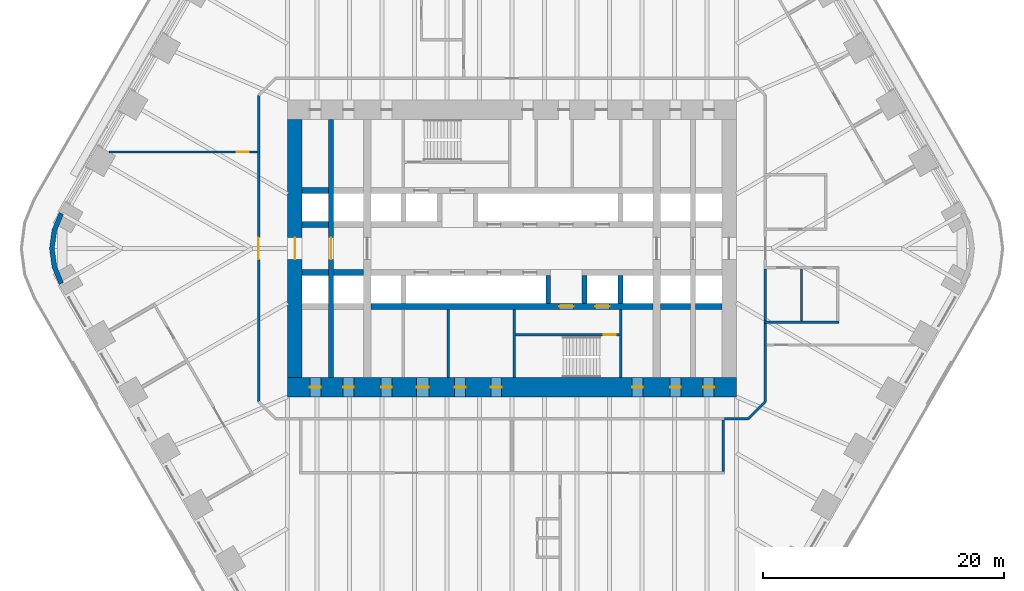
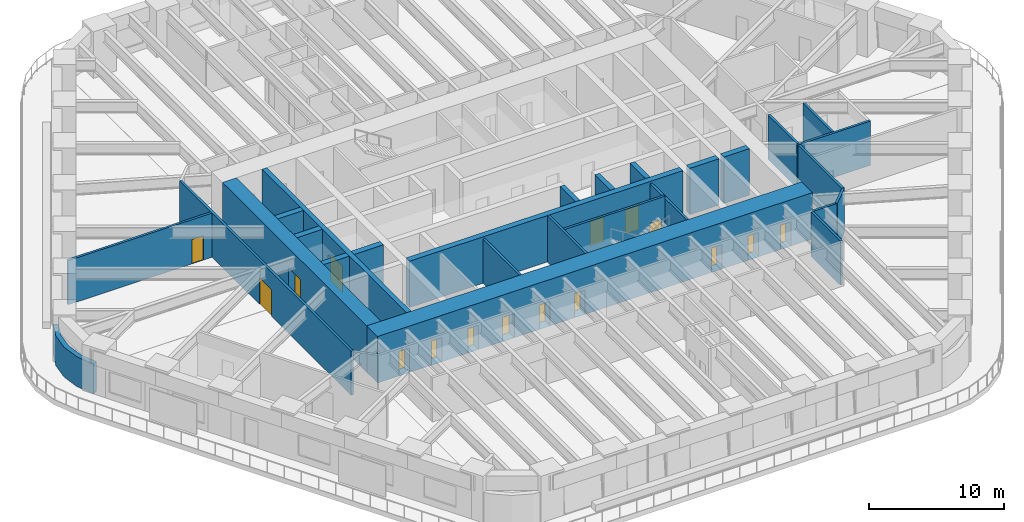
# One storey, part 17 of 24: 27 walls, 16 doors, 16 openings.
"""IFC4 building model written with IfcOpenShell, lengths in metres."""

from ifc_helpers import new_model, si_unit, direction, frame, frame_2d, origin, place, context, subcontext, project, spatial, polyline, rectangle, outline, extrude, material, layer, layer_set, type_object, element, fill, save


model = new_model("IFC4")

# Units and contexts
model_context = context("Model", 3, precision=1e-05, world=origin(), true_north=direction((0.0, 1.0)))
body_context = subcontext(model_context, "Body", "Model", "MODEL_VIEW")
ifc_project = project(units=[si_unit("LENGTHUNIT", "METRE"), si_unit("AREAUNIT", "SQUARE_METRE"), si_unit("VOLUMEUNIT", "CUBIC_METRE"), si_unit("PLANEANGLEUNIT", "RADIAN"), si_unit("MASSUNIT", "GRAM", prefix="KILO")], contexts=[model_context])

# Site, building, storey
site_placement = place(None, origin())
site = spatial("IfcSite", under=ifc_project, at=site_placement, CompositionType="ELEMENT")
building_placement = place(site_placement, origin())
building = spatial("IfcBuilding", under=site, at=building_placement, Name="Tarfa Lantern Tower", CompositionType="ELEMENT")
storey_placement = place(building_placement, frame((0.0, 0.0, 69.699951171875)))
storey = spatial("IfcBuildingStorey", under=building, at=storey_placement, Name="L15", CompositionType="ELEMENT", Elevation=69.699951171875)

# Walls
ifc_material_1 = material(Name="Limestone cladding on blockwork", Category="masonry")
ifc_layer_1 = layer(ifc_material_1, 0.39990234375)
ifc_layer_set_1 = layer_set([ifc_layer_1], Name="EW2 CURVED STONE CORNER 400")
wall_type_1 = type_object("IfcWallType", Name="EW2 CURVED STONE CORNER 400", PredefinedType="SOLIDWALL", material=ifc_layer_set_1)
wall_1_placement = place(storey_placement, origin())
element("IfcWall", 1, at=wall_1_placement, inside=storey, type_object=wall_type_1, Name="Stone corner NW-SW", PredefinedType="SOLIDWALL", context=body_context, shape_type="SweptSolid", body=[
    extrude(outline(polyline([(-37.52783203125, 3.0), (-38.127197265625, 1.552978515625), (-38.33154296875, 0.0), (-38.127197265625, -1.552978515625), (-37.52783203125, -3.0), (-37.181396484375, -2.800048828125), (-37.74072265625, -1.449462890625), (-37.931640625, 0.0), (-37.74072265625, 1.449462890625), (-37.181396484375, 2.800048828125), (-37.52783203125, 3.0)])), origin(), (0.0, 0.0, 1.0), 2.699951171875),
])
ifc_material_2 = material(Name="Concrete blockwork", Category="masonry")
ifc_layer_2 = layer(ifc_material_2, 0.199951171875)
ifc_layer_set_2 = layer_set([ifc_layer_2], Name="IW1 BLOCKWORK PARTITION 200 EI 120")
wall_type_2 = type_object("IfcWallType", Name="IW1 BLOCKWORK PARTITION 200 EI 120", PredefinedType="PARTITIONING", material=ifc_layer_set_2)
for number, where, z_axis, x_axis, name in (
    (2, (9.0, -5.050048828125, 0.0), (0.0, 0.0, 1.0), (0.0, -1.0, 0.0), "Core partition"),
    (3, (-5.300048828125, -5.050048828125, 0.0), (0.0, 0.0, 1.0), (0.0, -1.0, 0.0), "Core partition"),
):
    element("IfcWall", number, at=place(storey_placement, frame(where, z_axis=z_axis, x_axis=x_axis)), inside=storey, type_object=wall_type_2, Name=name, PredefinedType="PARTITIONING", context=body_context, shape_type="SweptSolid", body=[
        extrude(rectangle(XDim=5.64990234375, YDim=0.199951171875, at=frame_2d((2.824951171875, 0.0))), origin(), (0.0, 0.0, 1.0), 4.0),
    ])
ifc_material_3 = material(Name="Gypsum board on steel studs", Category="steel")
ifc_layer_3 = layer(ifc_material_3, 0.2099609375)
ifc_layer_set_3 = layer_set([ifc_layer_3], Name="IW2 ACOUSTIC PARTITION 200")
wall_type_3 = type_object("IfcWallType", Name="IW2 ACOUSTIC PARTITION 200", PredefinedType="PARTITIONING", material=ifc_layer_set_3)
wall_2_placement = place(storey_placement, frame((17.5, -14.199951171875, 0.0), z_axis=(0.0, 0.0, 1.0), x_axis=(0.0, -1.0, 0.0)))
element("IfcWall", 4, at=wall_2_placement, inside=storey, type_object=wall_type_3, Name="Partition", PredefinedType="PARTITIONING", context=body_context, shape_type="SweptSolid", body=[
    extrude(rectangle(XDim=4.300048828125, YDim=0.199951171875, at=frame_2d((2.14990234375, 0.0))), origin(), (0.0, 0.0, 1.0), 4.0),
])
wall_3_placement = place(storey_placement, frame((20.89990234375, -6.10009765625, 0.0), z_axis=(0.0, 0.0, 1.0), x_axis=(1.0, 0.0, 0.0)))
element("IfcWall", 5, at=wall_3_placement, inside=storey, type_object=wall_type_3, Name="Partition", PredefinedType="PARTITIONING", context=body_context, shape_type="SweptSolid", body=[
    extrude(rectangle(XDim=6.2001953125, YDim=0.199951171875, at=frame_2d((3.10009765625, 0.0))), origin(), (0.0, 0.0, 1.0), 4.0),
])
for number, where, z_axis, x_axis, name in (
    (6, (21.0, -1.699951171875, 0.0), (0.0, 0.0, 1.0), (0.0, -1.0, 0.0), "Partition"),
    (7, (24.0, -1.699951171875, 0.0), (0.0, 0.0, 1.0), (0.0, -1.0, 0.0), "Partition"),
):
    element("IfcWall", number, at=place(storey_placement, frame(where, z_axis=z_axis, x_axis=x_axis)), inside=storey, type_object=wall_type_3, Name=name, PredefinedType="PARTITIONING", context=body_context, shape_type="SweptSolid", body=[
        extrude(rectangle(XDim=4.300048828125, YDim=0.199951171875, at=frame_2d((2.14990234375, 0.0))), origin(), (0.0, 0.0, 1.0), 4.0),
    ])
wall_4_placement = place(storey_placement, frame((21.0, -6.200927734375, 0.0), z_axis=(0.0, 0.0, 1.0), x_axis=(0.0, -1.0, 0.0)))
element("IfcWall", 8, at=wall_4_placement, inside=storey, type_object=wall_type_3, Name="Partition", PredefinedType="PARTITIONING", context=body_context, shape_type="SweptSolid", body=[
    extrude(rectangle(XDim=6.4990234375, YDim=0.199951171875, at=frame_2d((3.24951171875, 0.0))), origin(), (0.0, 0.0, 1.0), 4.0),
])
wall_5_placement = place(storey_placement, frame((21.0, -12.699951171875, 0.0), z_axis=(0.0, 0.0, 1.0), x_axis=(-0.707045124756, -0.707168432242, 0.0)))
element("IfcWall", 9, at=wall_5_placement, inside=storey, type_object=wall_type_3, Name="Partition", PredefinedType="PARTITIONING", context=body_context, shape_type="SweptSolid", body=[
    extrude(rectangle(XDim=1.97998046875, YDim=0.199951171875, at=frame_2d((0.989990234375, 0.0))), origin(), (0.0, 0.0, 1.0), 4.0),
])
wall_6_placement = place(storey_placement, frame((19.60009765625, -14.10009765625, 0.0), z_axis=(0.0, 0.0, 1.0), x_axis=(-1.0, 0.0, 0.0)))
element("IfcWall", 10, at=wall_6_placement, inside=storey, type_object=wall_type_3, Name="Partition", PredefinedType="PARTITIONING", context=body_context, shape_type="SweptSolid", body=[
    extrude(rectangle(XDim=2.0, YDim=0.199951171875, at=frame_2d((1.0, 0.0))), origin(), (0.0, 0.0, 1.0), 4.0),
])

# Wall, opening, door
wall_7_placement = place(storey_placement, frame((-21.0, -12.699951171875, 0.0), z_axis=(0.0, 0.0, 1.0), x_axis=(0.0, 1.0, 0.0)))
wall_7 = element("IfcWall", 11, at=wall_7_placement, inside=storey, type_object=wall_type_3, Name="Partition", PredefinedType="PARTITIONING", context=body_context, shape_type="SweptSolid", body=[
    extrude(rectangle(XDim=25.39990234375, YDim=0.199951171875, at=frame_2d((12.699951171875, 0.0))), origin(), (0.0, 0.0, 1.0), 4.0),
])
opening_1_placement = place(wall_7_placement, frame((11.800048828125, 0.0, 0.0)))
opening_1 = element("IfcOpeningElement", 12, at=opening_1_placement, cuts=wall_7, Name="Opening D49", PredefinedType="OPENING", context=body_context, shape_type="SweptSolid", body=[
    extrude(rectangle(XDim=1.800048828125, YDim=2.39990234375, at=frame_2d((0.89990234375, 1.199951171875))), frame((0.0, 0.10986328125, 0.0), z_axis=(0.0, -1.0, 0.0), x_axis=(1.0, 0.0, 0.0)), (0.0, 0.0, 1.0), 0.219970703125),
])
ifc_material_4 = material(Name="Timber door", Category="wood")
door_type_1 = type_object("IfcDoorType", Name="DR2 ROOM DOOR 1800x2400", OperationType="DOUBLE_DOOR_SINGLE_SWING", PredefinedType="DOOR", material=ifc_material_4)
door_1_placement = place(opening_1_placement, origin())
door_1 = element("IfcDoor", 13, at=door_1_placement, inside=storey, type_object=door_type_1, Name="Corridor door", OperationType="DOUBLE_DOOR_SINGLE_SWING", OverallHeight=2.39990234375, OverallWidth=1.800048828125, PredefinedType="DOOR", context=body_context, shape_type="SweptSolid", body=[
    extrude(rectangle(XDim=1.800048828125, YDim=2.39990234375, at=frame_2d((0.89990234375, 1.199951171875))), frame((0.0, 0.02490234375, 0.0), z_axis=(0.0, -1.0, 0.0), x_axis=(1.0, 0.0, 0.0)), (0.0, 0.0, 1.0), 0.050048828125),
])
fill(opening_1, door_1)

wall_8_placement = place(storey_placement, frame((-21.10009765625, 8.0, 0.0), z_axis=(0.0, 0.0, 1.0), x_axis=(-1.0, 0.0, 0.0)))
wall_8 = element("IfcWall", 14, at=wall_8_placement, inside=storey, type_object=wall_type_3, Name="Partition", PredefinedType="PARTITIONING", context=body_context, shape_type="SweptSolid", body=[
    extrude(rectangle(XDim=12.310791015625, YDim=0.199951171875, at=frame_2d((6.1552734375, 0.0))), origin(), (0.0, 0.0, 1.0), 4.0),
])
opening_2_placement = place(wall_8_placement, frame((0.731201171875, 0.0, 0.0)))
opening_2 = element("IfcOpeningElement", 15, at=opening_2_placement, cuts=wall_8, Name="Opening D53", PredefinedType="OPENING", context=body_context, shape_type="SweptSolid", body=[
    extrude(rectangle(XDim=1.0, YDim=2.199951171875, at=frame_2d((0.5, 1.10009765625))), frame((0.0, 0.10986328125, 0.0), z_axis=(0.0, -1.0, 0.0), x_axis=(1.0, 0.0, 0.0)), (0.0, 0.0, 1.0), 0.219970703125),
])
door_type_2 = type_object("IfcDoorType", Name="DR1 ROOM DOOR 1000x2200", OperationType="SINGLE_SWING_LEFT", PredefinedType="DOOR", material=ifc_material_4)
door_2_placement = place(opening_2_placement, frame((1.0, 0.0, 0.0), z_axis=(0.0, 0.0, 1.0), x_axis=(-1.0, 0.0, 0.0)))
door_2 = element("IfcDoor", 16, at=door_2_placement, inside=storey, type_object=door_type_2, Name="Zone door", OperationType="SINGLE_SWING_LEFT", OverallHeight=2.199951171875, OverallWidth=1.0, PredefinedType="DOOR", context=body_context, shape_type="SweptSolid", body=[
    extrude(rectangle(XDim=1.0, YDim=2.199951171875, at=frame_2d((0.5, 1.10009765625))), frame((0.0, 0.02490234375, 0.0), z_axis=(0.0, -1.0, 0.0), x_axis=(1.0, 0.0, 0.0)), (0.0, 0.0, 1.0), 0.050048828125),
])
fill(opening_2, door_2)

ifc_material_5 = material(Name="Concrete C80/95", Category="concrete")
ifc_layer_4 = layer(ifc_material_5, 1.199951171875)
ifc_layer_set_4 = layer_set([ifc_layer_4], Name="SW1 CORE WALL 1200")
wall_type_4 = type_object("IfcWallType", Name="SW1 CORE WALL 1200", PredefinedType="SHEAR", material=ifc_layer_set_4)
wall_9_placement = place(storey_placement, frame((-18.0, 10.699951171875, 0.0), z_axis=(0.0, 0.0, 1.0), x_axis=(0.0, -1.0, 0.0)))
wall_9 = element("IfcWall", 17, at=wall_9_placement, inside=storey, type_object=wall_type_4, Name="Core wall W", PredefinedType="SHEAR", context=body_context, shape_type="SweptSolid", body=[
    extrude(rectangle(XDim=21.39990234375, YDim=1.199951171875, at=frame_2d((10.699951171875, 0.0))), origin(), (0.0, 0.0, 1.0), 4.199951171875),
])
opening_3_placement = place(wall_9_placement, frame((9.800048828125, 0.0, 0.0)))
opening_3 = element("IfcOpeningElement", 18, at=opening_3_placement, cuts=wall_9, Name="Opening D16", PredefinedType="OPENING", context=body_context, shape_type="SweptSolid", body=[
    extrude(rectangle(XDim=1.800048828125, YDim=2.39990234375, at=frame_2d((0.89990234375, 1.199951171875))), frame((0.0, 0.60986328125, 0.0), z_axis=(0.0, -1.0, 0.0), x_axis=(1.0, 0.0, 0.0)), (0.0, 0.0, 1.0), 1.219970703125),
])
ifc_material_6 = material(Name="Steel fire door", Category="steel")
door_type_3 = type_object("IfcDoorType", Name="DL1 LOBBY DOOR 1800x2400", OperationType="DOUBLE_DOOR_SINGLE_SWING", PredefinedType="DOOR", material=ifc_material_6)
door_3_placement = place(opening_3_placement, frame((1.800048828125, 0.0, 0.0), z_axis=(0.0, 0.0, 1.0), x_axis=(-1.0, 0.0, 0.0)))
door_3 = element("IfcDoor", 19, at=door_3_placement, inside=storey, type_object=door_type_3, Name="Lift lobby door", OperationType="DOUBLE_DOOR_SINGLE_SWING", OverallHeight=2.39990234375, OverallWidth=1.800048828125, PredefinedType="DOOR", context=body_context, shape_type="SweptSolid", body=[
    extrude(rectangle(XDim=1.800048828125, YDim=2.39990234375, at=frame_2d((0.89990234375, 1.199951171875))), frame((0.0, 0.02490234375, 0.0), z_axis=(0.0, -1.0, 0.0), x_axis=(1.0, 0.0, 0.0)), (0.0, 0.0, 1.0), 0.050048828125),
])
fill(opening_3, door_3)

# Wall
ifc_layer_5 = layer(ifc_material_5, 0.199951171875)
ifc_layer_set_5 = layer_set([ifc_layer_5], Name="SW12 CORE WALL 200")
wall_type_5 = type_object("IfcWallType", Name="SW12 CORE WALL 200", PredefinedType="SHEAR", material=ifc_layer_set_5)
wall_10_placement = place(storey_placement, frame((0.199951171875, -5.050048828125, 0.0), z_axis=(0.0, 0.0, 1.0), x_axis=(0.0, -1.0, 0.0)))
element("IfcWall", 20, at=wall_10_placement, inside=storey, type_object=wall_type_5, Name="Core wall stair shaft S", PredefinedType="SHEAR", context=body_context, shape_type="SweptSolid", body=[
    extrude(rectangle(XDim=5.64990234375, YDim=0.199951171875, at=frame_2d((2.824951171875, 0.0))), origin(), (0.0, 0.0, 1.0), 4.199951171875),
])

# Wall, opening, door
wall_11_placement = place(storey_placement, frame((8.89990234375, -7.14990234375, 0.0), z_axis=(0.0, 0.0, 1.0), x_axis=(-1.0, 0.0, 0.0)))
wall_11 = element("IfcWall", 21, at=wall_11_placement, inside=storey, type_object=wall_type_5, Name="Core wall stair partition S", PredefinedType="SHEAR", context=body_context, shape_type="SweptSolid", body=[
    extrude(rectangle(XDim=8.599853515625, YDim=0.199951171875, at=frame_2d((4.2998046875, 0.0))), origin(), (0.0, 0.0, 1.0), 4.199951171875),
])
opening_4_placement = place(wall_11_placement, frame((0.300048828125, 0.0, 0.0)))
opening_4 = element("IfcOpeningElement", 22, at=opening_4_placement, cuts=wall_11, Name="Opening D24", PredefinedType="OPENING", context=body_context, shape_type="SweptSolid", body=[
    extrude(rectangle(XDim=1.0, YDim=2.199951171875, at=frame_2d((0.5, 1.10009765625))), frame((0.0, 0.10986328125, 0.0), z_axis=(0.0, -1.0, 0.0), x_axis=(1.0, 0.0, 0.0)), (0.0, 0.0, 1.0), 0.219970703125),
])
door_type_4 = type_object("IfcDoorType", Name="DF2 STAIR DOOR 1000x2200", OperationType="SINGLE_SWING_LEFT", PredefinedType="DOOR", material=ifc_material_6)
door_4_placement = place(opening_4_placement, origin())
door_4 = element("IfcDoor", 23, at=door_4_placement, inside=storey, type_object=door_type_4, Name="Stair door", OperationType="SINGLE_SWING_RIGHT", OverallHeight=2.199951171875, OverallWidth=1.0, PredefinedType="DOOR", context=body_context, shape_type="SweptSolid", body=[
    extrude(rectangle(XDim=1.0, YDim=2.199951171875, at=frame_2d((0.5, 1.10009765625))), frame((0.0, 0.02490234375, 0.0), z_axis=(0.0, -1.0, 0.0), x_axis=(1.0, 0.0, 0.0)), (0.0, 0.0, 1.0), 0.050048828125),
])
fill(opening_4, door_4)

# Walls
ifc_layer_6 = layer(ifc_material_5, 0.5)
ifc_layer_set_6 = layer_set([ifc_layer_6], Name="SW5 CORE WALL 500")
wall_type_6 = type_object("IfcWallType", Name="SW5 CORE WALL 500", PredefinedType="SHEAR", material=ifc_layer_set_6)
for number, where, z_axis, x_axis, name in (
    (24, (-17.39990234375, 2.0, 0.0), (0.0, 0.0, 1.0), (1.0, 0.0, 0.0), "Core wall lobby west N"),
    (25, (-17.39990234375, 4.800048828125, 0.0), (0.0, 0.0, 1.0), (1.0, 0.0, 0.0), "Core wall rear N"),
):
    element("IfcWall", number, at=place(storey_placement, frame(where, z_axis=z_axis, x_axis=x_axis)), inside=storey, type_object=wall_type_6, Name=name, PredefinedType="SHEAR", context=body_context, shape_type="SweptSolid", body=[
        extrude(rectangle(XDim=2.199951171875, YDim=0.5, at=frame_2d((1.10009765625, 0.0))), origin(), (0.0, 0.0, 1.0), 4.199951171875),
    ])
wall_12_placement = place(storey_placement, frame((-12.300048828125, -2.0, 0.0), z_axis=(0.0, 0.0, 1.0), x_axis=(-1.0, 0.0, 0.0)))
element("IfcWall", 26, at=wall_12_placement, inside=storey, type_object=wall_type_6, Name="Core wall lobby east S", PredefinedType="SHEAR", context=body_context, shape_type="SweptSolid", body=[
    extrude(rectangle(XDim=2.5, YDim=0.5, at=frame_2d((1.25, 0.0))), origin(), (0.0, 0.0, 1.0), 4.199951171875),
])
for number, where, z_axis, x_axis, name in (
    (27, (-15.199951171875, -2.0, 0.0), (0.0, 0.0, 1.0), (-1.0, 0.0, 0.0), "Core wall lobby east S"),
    (28, (17.39990234375, -4.800048828125, 0.0), (0.0, 0.0, 1.0), (-1.0, 0.0, 0.0), "Core wall rear S"),
):
    element("IfcWall", number, at=place(storey_placement, frame(where, z_axis=z_axis, x_axis=x_axis)), inside=storey, type_object=wall_type_6, Name=name, PredefinedType="SHEAR", context=body_context, shape_type="SweptSolid", body=[
        extrude(rectangle(XDim=2.199951171875, YDim=0.5, at=frame_2d((1.10009765625, 0.0))), origin(), (0.0, 0.0, 1.0), 4.199951171875),
    ])
wall_13_placement = place(storey_placement, frame((14.800048828125, -4.800048828125, 0.0), z_axis=(0.0, 0.0, 1.0), x_axis=(-1.0, 0.0, 0.0)))
element("IfcWall", 29, at=wall_13_placement, inside=storey, type_object=wall_type_6, Name="Core wall rear S", PredefinedType="SHEAR", context=body_context, shape_type="SweptSolid", body=[
    extrude(rectangle(XDim=2.5, YDim=0.5, at=frame_2d((1.25, 0.0))), origin(), (0.0, 0.0, 1.0), 4.199951171875),
])

# Wall, openings, doors
wall_14_placement = place(storey_placement, frame((11.699951171875, -4.800048828125, 0.0), z_axis=(0.0, 0.0, 1.0), x_axis=(-1.0, 0.0, 0.0)))
wall_14 = element("IfcWall", 30, at=wall_14_placement, inside=storey, type_object=wall_type_6, Name="Core wall rear S", PredefinedType="SHEAR", context=body_context, shape_type="SweptSolid", body=[
    extrude(rectangle(XDim=23.39990234375, YDim=0.5, at=frame_2d((11.699951171875, 0.0))), origin(), (0.0, 0.0, 1.0), 4.199951171875),
])
opening_5_placement = place(wall_14_placement, frame((6.60009765625, 0.0, 0.0)))
opening_5 = element("IfcOpeningElement", 31, at=opening_5_placement, cuts=wall_14, Name="Opening D14", PredefinedType="OPENING", context=body_context, shape_type="SweptSolid", body=[
    extrude(rectangle(XDim=1.199951171875, YDim=2.199951171875, at=frame_2d((0.60009765625, 1.10009765625))), frame((0.0, 0.260009765625, 0.0), z_axis=(0.0, -1.0, 0.0), x_axis=(1.0, 0.0, 0.0)), (0.0, 0.0, 1.0), 0.52001953125),
])
opening_6_placement = place(wall_14_placement, frame((3.60009765625, 0.0, 0.0)))
opening_6 = element("IfcOpeningElement", 32, at=opening_6_placement, cuts=wall_14, Name="Opening LD02", PredefinedType="OPENING", context=body_context, shape_type="SweptSolid", body=[
    extrude(rectangle(XDim=1.199951171875, YDim=2.199951171875, at=frame_2d((0.60009765625, 1.10009765625))), frame((0.0, 0.260009765625, 0.0), z_axis=(0.0, -1.0, 0.0), x_axis=(1.0, 0.0, 0.0)), (0.0, 0.0, 1.0), 0.52001953125),
])
door_type_5 = type_object("IfcDoorType", Name="DF1 FIREFIGHTING LOBBY DOOR 1200x2200", OperationType="SINGLE_SWING_LEFT", PredefinedType="DOOR", material=ifc_material_6)
door_5_placement = place(opening_5_placement, origin())
door_5 = element("IfcDoor", 33, at=door_5_placement, inside=storey, type_object=door_type_5, Name="Firefighting lobby door", OperationType="SINGLE_SWING_LEFT", OverallHeight=2.199951171875, OverallWidth=1.199951171875, PredefinedType="DOOR", context=body_context, shape_type="SweptSolid", body=[
    extrude(rectangle(XDim=1.199951171875, YDim=2.199951171875, at=frame_2d((0.60009765625, 1.10009765625))), frame((0.0, 0.02490234375, 0.0), z_axis=(0.0, -1.0, 0.0), x_axis=(1.0, 0.0, 0.0)), (0.0, 0.0, 1.0), 0.050048828125),
])
fill(opening_5, door_5)
ifc_material_7 = material(Name="Stainless steel lift door", Category="steel")
door_type_6 = type_object("IfcDoorType", Name="LD1 LIFT LANDING DOOR 1200x2200", OperationType="SLIDING_TO_LEFT", PredefinedType="DOOR", material=ifc_material_7)
door_6_placement = place(opening_6_placement, origin())
door_6 = element("IfcDoor", 34, at=door_6_placement, inside=storey, type_object=door_type_6, Name="Landing door FL2", OperationType="SLIDING_TO_LEFT", OverallHeight=2.199951171875, OverallWidth=1.199951171875, PredefinedType="DOOR", context=body_context, shape_type="SweptSolid", body=[
    extrude(rectangle(XDim=1.199951171875, YDim=2.199951171875, at=frame_2d((0.60009765625, 1.10009765625))), frame((0.0, 0.02490234375, 0.0), z_axis=(0.0, -1.0, 0.0), x_axis=(1.0, 0.0, 0.0)), (0.0, 0.0, 1.0), 0.050048828125),
])
fill(opening_6, door_6)

# Wall, opening, door
ifc_layer_7 = layer(ifc_material_5, 0.39990234375)
ifc_layer_set_7 = layer_set([ifc_layer_7], Name="SW6 CORE WALL 400")
wall_type_7 = type_object("IfcWallType", Name="SW6 CORE WALL 400", PredefinedType="SHEAR", material=ifc_layer_set_7)
wall_15_placement = place(storey_placement, frame((-15.0, -10.699951171875, 0.0), z_axis=(0.0, 0.0, 1.0), x_axis=(0.0, 1.0, 0.0)))
wall_15 = element("IfcWall", 35, at=wall_15_placement, inside=storey, type_object=wall_type_7, Name="Core wall cross 15 m west", PredefinedType="SHEAR", context=body_context, shape_type="SweptSolid", body=[
    extrude(rectangle(XDim=21.39990234375, YDim=0.39990234375, at=frame_2d((10.699951171875, 0.0))), origin(), (0.0, 0.0, 1.0), 4.199951171875),
])
opening_7_placement = place(wall_15_placement, frame((9.800048828125, 0.0, 0.0)))
opening_7 = element("IfcOpeningElement", 36, at=opening_7_placement, cuts=wall_15, Name="Opening D28", PredefinedType="OPENING", context=body_context, shape_type="SweptSolid", body=[
    extrude(rectangle(XDim=1.800048828125, YDim=2.39990234375, at=frame_2d((0.89990234375, 1.199951171875))), frame((0.0, 0.2099609375, 0.0), z_axis=(0.0, -1.0, 0.0), x_axis=(1.0, 0.0, 0.0)), (0.0, 0.0, 1.0), 0.419921875),
])
door_7_placement = place(opening_7_placement, origin())
door_7 = element("IfcDoor", 37, at=door_7_placement, inside=storey, type_object=door_type_3, Name="Lift lobby door", OperationType="DOUBLE_DOOR_SINGLE_SWING", OverallHeight=2.39990234375, OverallWidth=1.800048828125, PredefinedType="DOOR", context=body_context, shape_type="SweptSolid", body=[
    extrude(rectangle(XDim=1.800048828125, YDim=2.39990234375, at=frame_2d((0.89990234375, 1.199951171875))), frame((0.0, 0.02490234375, 0.0), z_axis=(0.0, -1.0, 0.0), x_axis=(1.0, 0.0, 0.0)), (0.0, 0.0, 1.0), 0.050048828125),
])
fill(opening_7, door_7)

# Walls
for number, where, z_axis, x_axis, name in (
    (38, (9.0, -2.25, 0.0), (0.0, 0.0, 1.0), (0.0, -1.0, 0.0), "Core wall divider S"),
    (39, (6.0, -2.25, 0.0), (0.0, 0.0, 1.0), (0.0, -1.0, 0.0), "Core wall divider S"),
    (40, (3.0, -2.25, 0.0), (0.0, 0.0, 1.0), (0.0, -1.0, 0.0), "Core wall divider S"),
):
    element("IfcWall", number, at=place(storey_placement, frame(where, z_axis=z_axis, x_axis=x_axis)), inside=storey, type_object=wall_type_7, Name=name, PredefinedType="SHEAR", context=body_context, shape_type="SweptSolid", body=[
        extrude(rectangle(XDim=2.300048828125, YDim=0.39990234375, at=frame_2d((1.14990234375, 0.0))), origin(), (0.0, 0.0, 1.0), 4.199951171875),
    ])

# Wall, openings, doors
ifc_layer_8 = layer(ifc_material_5, 1.60009765625)
ifc_layer_set_8 = layer_set([ifc_layer_8], Name="SW7 CORE WALL 1600")
wall_type_8 = type_object("IfcWallType", Name="SW7 CORE WALL 1600", PredefinedType="SHEAR", material=ifc_layer_set_8)
wall_16_placement = place(storey_placement, frame((18.60009765625, -11.5, 0.0), z_axis=(0.0, 0.0, 1.0), x_axis=(-1.0, 0.0, 0.0)))
wall_16 = element("IfcWall", 41, at=wall_16_placement, inside=storey, type_object=wall_type_8, Name="Core wall S", PredefinedType="SHEAR", context=body_context, shape_type="SweptSolid", body=[
    extrude(rectangle(XDim=37.2001953125, YDim=1.60009765625, at=frame_2d((18.60009765625, 0.0))), origin(), (0.0, 0.0, 1.0), 4.199951171875),
])
opening_8_placement = place(wall_16_placement, frame((19.449951171875, 0.0, 0.0)))
opening_8 = element("IfcOpeningElement", 42, at=opening_8_placement, cuts=wall_16, Name="Opening D18", PredefinedType="OPENING", context=body_context, shape_type="SweptSolid", body=[
    extrude(rectangle(XDim=0.89990234375, YDim=2.199951171875, at=frame_2d((0.449951171875, 1.10009765625))), frame((0.0, 0.81005859375, 0.0), z_axis=(0.0, -1.0, 0.0), x_axis=(1.0, 0.0, 0.0)), (0.0, 0.0, 1.0), 1.6201171875),
])
opening_9_placement = place(wall_16_placement, frame((22.449951171875, 0.0, 0.0)))
opening_9 = element("IfcOpeningElement", 43, at=opening_9_placement, cuts=wall_16, Name="Opening D20", PredefinedType="OPENING", context=body_context, shape_type="SweptSolid", body=[
    extrude(rectangle(XDim=0.89990234375, YDim=2.199951171875, at=frame_2d((0.449951171875, 1.10009765625))), frame((0.0, 0.81005859375, 0.0), z_axis=(0.0, -1.0, 0.0), x_axis=(1.0, 0.0, 0.0)), (0.0, 0.0, 1.0), 1.6201171875),
])
opening_10_placement = place(wall_16_placement, frame((25.5, 0.0, 0.0)))
opening_10 = element("IfcOpeningElement", 44, at=opening_10_placement, cuts=wall_16, Name="Opening D22", PredefinedType="OPENING", context=body_context, shape_type="SweptSolid", body=[
    extrude(rectangle(XDim=1.0, YDim=2.199951171875, at=frame_2d((0.5, 1.10009765625))), frame((0.0, 0.81005859375, 0.0), z_axis=(0.0, -1.0, 0.0), x_axis=(1.0, 0.0, 0.0)), (0.0, 0.0, 1.0), 1.6201171875),
])
opening_11_placement = place(wall_16_placement, frame((1.85009765625, 0.0, 0.0)))
opening_11 = element("IfcOpeningElement", 45, at=opening_11_placement, cuts=wall_16, Name="Opening D12", PredefinedType="OPENING", context=body_context, shape_type="SweptSolid", body=[
    extrude(rectangle(XDim=0.89990234375, YDim=2.199951171875, at=frame_2d((0.449951171875, 1.10009765625))), frame((0.0, 0.81005859375, 0.0), z_axis=(0.0, -1.0, 0.0), x_axis=(1.0, 0.0, 0.0)), (0.0, 0.0, 1.0), 1.6201171875),
])
opening_12_placement = place(wall_16_placement, frame((4.60009765625, 0.0, 0.0)))
opening_12 = element("IfcOpeningElement", 46, at=opening_12_placement, cuts=wall_16, Name="Opening D08", PredefinedType="OPENING", context=body_context, shape_type="SweptSolid", body=[
    extrude(rectangle(XDim=0.89990234375, YDim=2.199951171875, at=frame_2d((0.449951171875, 1.10009765625))), frame((0.0, 0.81005859375, 0.0), z_axis=(0.0, -1.0, 0.0), x_axis=(1.0, 0.0, 0.0)), (0.0, 0.0, 1.0), 1.6201171875),
])
opening_13_placement = place(wall_16_placement, frame((7.75, 0.0, 0.0)))
opening_13 = element("IfcOpeningElement", 47, at=opening_13_placement, cuts=wall_16, Name="Opening D10", PredefinedType="OPENING", context=body_context, shape_type="SweptSolid", body=[
    extrude(rectangle(XDim=0.89990234375, YDim=2.199951171875, at=frame_2d((0.449951171875, 1.10009765625))), frame((0.0, 0.81005859375, 0.0), z_axis=(0.0, -1.0, 0.0), x_axis=(1.0, 0.0, 0.0)), (0.0, 0.0, 1.0), 1.6201171875),
])
opening_14_placement = place(wall_16_placement, frame((28.550048828125, 0.0, 0.0)))
opening_14 = element("IfcOpeningElement", 48, at=opening_14_placement, cuts=wall_16, Name="Opening D06", PredefinedType="OPENING", context=body_context, shape_type="SweptSolid", body=[
    extrude(rectangle(XDim=0.89990234375, YDim=2.199951171875, at=frame_2d((0.449951171875, 1.10009765625))), frame((0.0, 0.81005859375, 0.0), z_axis=(0.0, -1.0, 0.0), x_axis=(1.0, 0.0, 0.0)), (0.0, 0.0, 1.0), 1.6201171875),
])
opening_15_placement = place(wall_16_placement, frame((31.699951171875, 0.0, 0.0)))
opening_15 = element("IfcOpeningElement", 49, at=opening_15_placement, cuts=wall_16, Name="Opening D02", PredefinedType="OPENING", context=body_context, shape_type="SweptSolid", body=[
    extrude(rectangle(XDim=0.89990234375, YDim=2.199951171875, at=frame_2d((0.449951171875, 1.10009765625))), frame((0.0, 0.81005859375, 0.0), z_axis=(0.0, -1.0, 0.0), x_axis=(1.0, 0.0, 0.0)), (0.0, 0.0, 1.0), 1.6201171875),
])
opening_16_placement = place(wall_16_placement, frame((34.449951171875, 0.0, 0.0)))
opening_16 = element("IfcOpeningElement", 50, at=opening_16_placement, cuts=wall_16, Name="Opening D04", PredefinedType="OPENING", context=body_context, shape_type="SweptSolid", body=[
    extrude(rectangle(XDim=0.89990234375, YDim=2.199951171875, at=frame_2d((0.449951171875, 1.10009765625))), frame((0.0, 0.81005859375, 0.0), z_axis=(0.0, -1.0, 0.0), x_axis=(1.0, 0.0, 0.0)), (0.0, 0.0, 1.0), 1.6201171875),
])
door_type_7 = type_object("IfcDoorType", Name="DF3 CORE ROOM DOOR 900x2200", OperationType="SINGLE_SWING_LEFT", PredefinedType="DOOR", material=ifc_material_6)
door_8_placement = place(opening_8_placement, frame((0.89990234375, 0.0, 0.0), z_axis=(0.0, 0.0, 1.0), x_axis=(-1.0, 0.0, 0.0)))
door_8 = element("IfcDoor", 51, at=door_8_placement, inside=storey, type_object=door_type_7, Name="Core door", OperationType="SINGLE_SWING_LEFT", OverallHeight=2.199951171875, OverallWidth=0.89990234375, PredefinedType="DOOR", context=body_context, shape_type="SweptSolid", body=[
    extrude(rectangle(XDim=0.89990234375, YDim=2.199951171875, at=frame_2d((0.449951171875, 1.10009765625))), frame((0.0, 0.02490234375, 0.0), z_axis=(0.0, -1.0, 0.0), x_axis=(1.0, 0.0, 0.0)), (0.0, 0.0, 1.0), 0.050048828125),
])
fill(opening_8, door_8)
door_9_placement = place(opening_9_placement, frame((0.89990234375, 0.0, 0.0), z_axis=(0.0, 0.0, 1.0), x_axis=(-1.0, 0.0, 0.0)))
door_9 = element("IfcDoor", 52, at=door_9_placement, inside=storey, type_object=door_type_7, Name="Core door", OperationType="SINGLE_SWING_RIGHT", OverallHeight=2.199951171875, OverallWidth=0.89990234375, PredefinedType="DOOR", context=body_context, shape_type="SweptSolid", body=[
    extrude(rectangle(XDim=0.89990234375, YDim=2.199951171875, at=frame_2d((0.449951171875, 1.10009765625))), frame((0.0, 0.02490234375, 0.0), z_axis=(0.0, -1.0, 0.0), x_axis=(1.0, 0.0, 0.0)), (0.0, 0.0, 1.0), 0.050048828125),
])
fill(opening_9, door_9)
door_type_8 = type_object("IfcDoorType", Name="DF4 CORE ROOM DOOR 1000x2200", OperationType="SINGLE_SWING_LEFT", PredefinedType="DOOR", material=ifc_material_6)
door_10_placement = place(opening_10_placement, frame((1.0, 0.0, 0.0), z_axis=(0.0, 0.0, 1.0), x_axis=(-1.0, 0.0, 0.0)))
door_10 = element("IfcDoor", 53, at=door_10_placement, inside=storey, type_object=door_type_8, Name="Core door", OperationType="SINGLE_SWING_RIGHT", OverallHeight=2.199951171875, OverallWidth=1.0, PredefinedType="DOOR", context=body_context, shape_type="SweptSolid", body=[
    extrude(rectangle(XDim=1.0, YDim=2.199951171875, at=frame_2d((0.5, 1.10009765625))), frame((0.0, 0.02490234375, 0.0), z_axis=(0.0, -1.0, 0.0), x_axis=(1.0, 0.0, 0.0)), (0.0, 0.0, 1.0), 0.050048828125),
])
fill(opening_10, door_10)
door_type_9 = type_object("IfcDoorType", Name="DF5 RISER DOOR 900x2200", OperationType="SINGLE_SWING_LEFT", PredefinedType="DOOR", material=ifc_material_6)
door_11_placement = place(opening_11_placement, frame((0.89990234375, 0.0, 0.0), z_axis=(0.0, 0.0, 1.0), x_axis=(-1.0, 0.0, 0.0)))
door_11 = element("IfcDoor", 54, at=door_11_placement, inside=storey, type_object=door_type_9, Name="Riser door", OperationType="SINGLE_SWING_LEFT", OverallHeight=2.199951171875, OverallWidth=0.89990234375, PredefinedType="DOOR", context=body_context, shape_type="SweptSolid", body=[
    extrude(rectangle(XDim=0.89990234375, YDim=2.199951171875, at=frame_2d((0.449951171875, 1.10009765625))), frame((0.0, 0.02490234375, 0.0), z_axis=(0.0, -1.0, 0.0), x_axis=(1.0, 0.0, 0.0)), (0.0, 0.0, 1.0), 0.050048828125),
])
fill(opening_11, door_11)
door_12_placement = place(opening_12_placement, frame((0.89990234375, 0.0, 0.0), z_axis=(0.0, 0.0, 1.0), x_axis=(-1.0, 0.0, 0.0)))
door_12 = element("IfcDoor", 55, at=door_12_placement, inside=storey, type_object=door_type_9, Name="Riser door", OperationType="SINGLE_SWING_LEFT", OverallHeight=2.199951171875, OverallWidth=0.89990234375, PredefinedType="DOOR", context=body_context, shape_type="SweptSolid", body=[
    extrude(rectangle(XDim=0.89990234375, YDim=2.199951171875, at=frame_2d((0.449951171875, 1.10009765625))), frame((0.0, 0.02490234375, 0.0), z_axis=(0.0, -1.0, 0.0), x_axis=(1.0, 0.0, 0.0)), (0.0, 0.0, 1.0), 0.050048828125),
])
fill(opening_12, door_12)
door_13_placement = place(opening_13_placement, frame((0.89990234375, 0.0, 0.0), z_axis=(0.0, 0.0, 1.0), x_axis=(-1.0, 0.0, 0.0)))
door_13 = element("IfcDoor", 56, at=door_13_placement, inside=storey, type_object=door_type_9, Name="Riser door", OperationType="SINGLE_SWING_LEFT", OverallHeight=2.199951171875, OverallWidth=0.89990234375, PredefinedType="DOOR", context=body_context, shape_type="SweptSolid", body=[
    extrude(rectangle(XDim=0.89990234375, YDim=2.199951171875, at=frame_2d((0.449951171875, 1.10009765625))), frame((0.0, 0.02490234375, 0.0), z_axis=(0.0, -1.0, 0.0), x_axis=(1.0, 0.0, 0.0)), (0.0, 0.0, 1.0), 0.050048828125),
])
fill(opening_13, door_13)
door_14_placement = place(opening_14_placement, frame((0.89990234375, 0.0, 0.0), z_axis=(0.0, 0.0, 1.0), x_axis=(-1.0, 0.0, 0.0)))
door_14 = element("IfcDoor", 57, at=door_14_placement, inside=storey, type_object=door_type_9, Name="Riser door", OperationType="SINGLE_SWING_RIGHT", OverallHeight=2.199951171875, OverallWidth=0.89990234375, PredefinedType="DOOR", context=body_context, shape_type="SweptSolid", body=[
    extrude(rectangle(XDim=0.89990234375, YDim=2.199951171875, at=frame_2d((0.449951171875, 1.10009765625))), frame((0.0, 0.02490234375, 0.0), z_axis=(0.0, -1.0, 0.0), x_axis=(1.0, 0.0, 0.0)), (0.0, 0.0, 1.0), 0.050048828125),
])
fill(opening_14, door_14)
door_15_placement = place(opening_15_placement, frame((0.89990234375, 0.0, 0.0), z_axis=(0.0, 0.0, 1.0), x_axis=(-1.0, 0.0, 0.0)))
door_15 = element("IfcDoor", 58, at=door_15_placement, inside=storey, type_object=door_type_9, Name="Riser door", OperationType="SINGLE_SWING_RIGHT", OverallHeight=2.199951171875, OverallWidth=0.89990234375, PredefinedType="DOOR", context=body_context, shape_type="SweptSolid", body=[
    extrude(rectangle(XDim=0.89990234375, YDim=2.199951171875, at=frame_2d((0.449951171875, 1.10009765625))), frame((0.0, 0.02490234375, 0.0), z_axis=(0.0, -1.0, 0.0), x_axis=(1.0, 0.0, 0.0)), (0.0, 0.0, 1.0), 0.050048828125),
])
fill(opening_15, door_15)
door_16_placement = place(opening_16_placement, frame((0.89990234375, 0.0, 0.0), z_axis=(0.0, 0.0, 1.0), x_axis=(-1.0, 0.0, 0.0)))
door_16 = element("IfcDoor", 59, at=door_16_placement, inside=storey, type_object=door_type_9, Name="Riser door", OperationType="SINGLE_SWING_RIGHT", OverallHeight=2.199951171875, OverallWidth=0.89990234375, PredefinedType="DOOR", context=body_context, shape_type="SweptSolid", body=[
    extrude(rectangle(XDim=0.89990234375, YDim=2.199951171875, at=frame_2d((0.449951171875, 1.10009765625))), frame((0.0, 0.02490234375, 0.0), z_axis=(0.0, -1.0, 0.0), x_axis=(1.0, 0.0, 0.0)), (0.0, 0.0, 1.0), 0.050048828125),
])
fill(opening_16, door_16)

save(model, "model.ifc")
